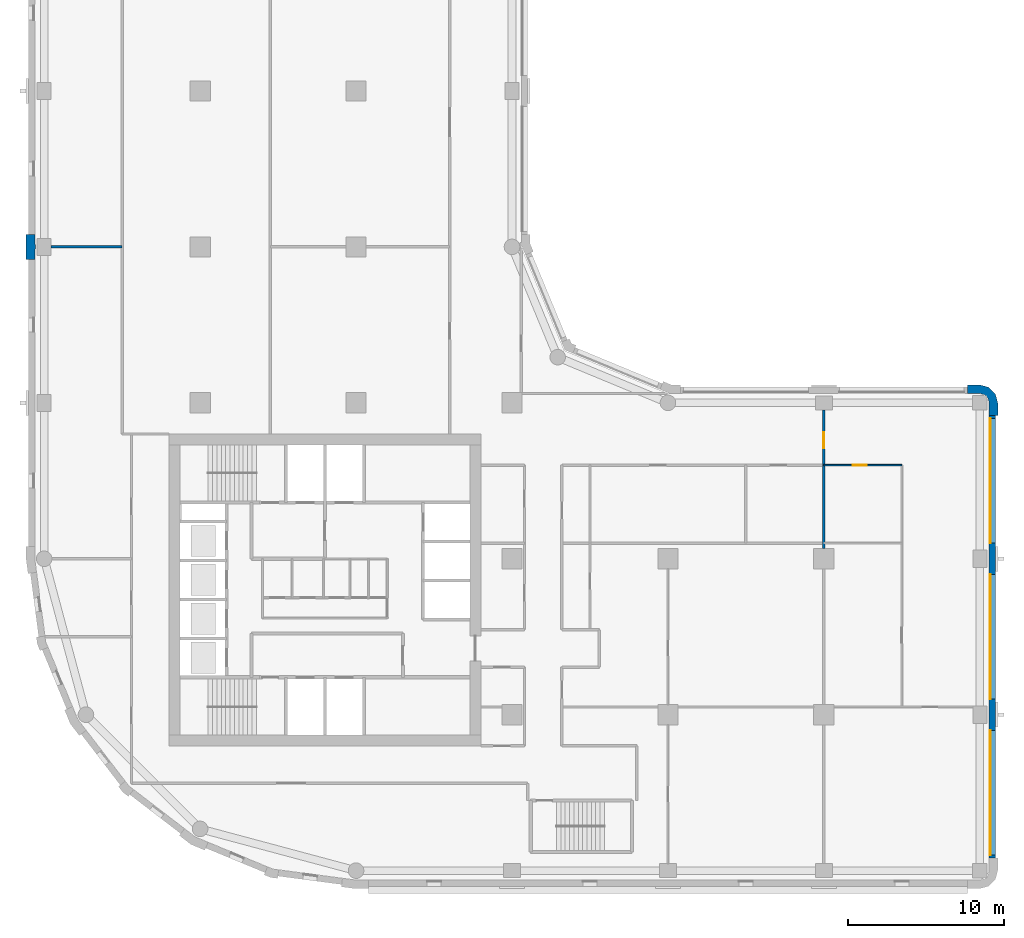
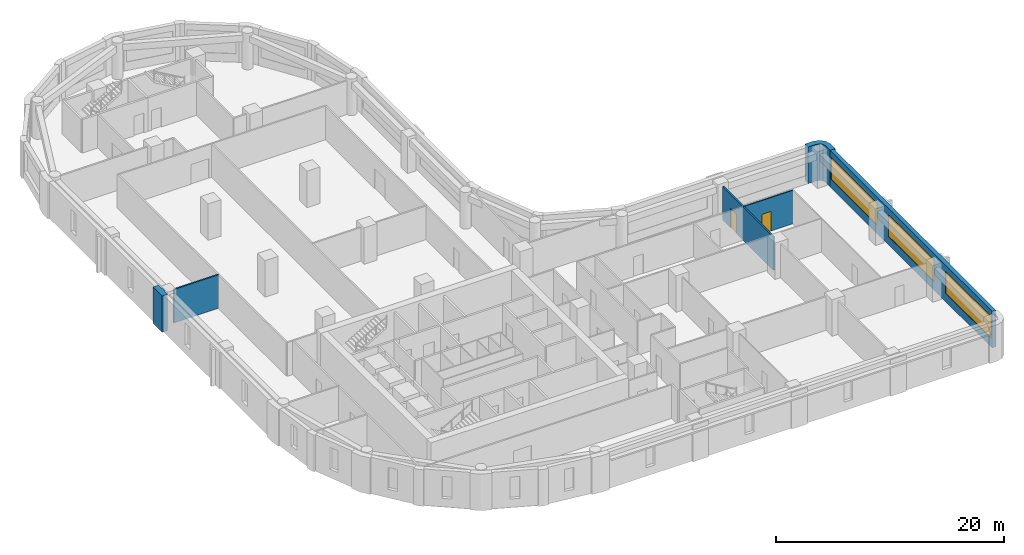
# One storey, part 5 of 10: 6 walls, 3 windows, 2 doors, 5 openings.
"""IFC4 building model written with IfcOpenShell, lengths in metres."""

from ifc_helpers import new_model, si_unit, direction, frame, frame_2d, origin, place, context, subcontext, project, spatial, polyline, rectangle, outline, extrude, material, layer, layer_set, type_object, element, fill, save


model = new_model("IFC4")

# Units and contexts
model_context = context("Model", 3, precision=1e-05, world=origin(), true_north=direction((0.0, 1.0)))
body_context = subcontext(model_context, "Body", "Model", "MODEL_VIEW")
ifc_project = project(units=[si_unit("LENGTHUNIT", "METRE"), si_unit("AREAUNIT", "SQUARE_METRE"), si_unit("VOLUMEUNIT", "CUBIC_METRE"), si_unit("PLANEANGLEUNIT", "RADIAN"), si_unit("MASSUNIT", "GRAM", prefix="KILO")], contexts=[model_context])

# Site, building, storey
site_placement = place(None, origin())
site = spatial("IfcSite", under=ifc_project, at=site_placement, CompositionType="ELEMENT")
building_placement = place(site_placement, origin())
building = spatial("IfcBuilding", under=site, at=building_placement, Name="Qaws Garden Tower", CompositionType="ELEMENT")
storey_placement = place(building_placement, frame((0.0, 0.0, 178.5)))
storey = spatial("IfcBuildingStorey", under=building, at=storey_placement, Name="L43", CompositionType="ELEMENT", Elevation=178.5)

# Wall
ifc_material_1 = material(Name="Clay facing brick masonry", Category="masonry")
ifc_layer_1 = layer(ifc_material_1, 0.550048828125)
ifc_layer_set_1 = layer_set([ifc_layer_1], Name="Clay facing brick masonry")
wall_type_1 = type_object("IfcWallType", Name="Brick corner pier 550 x 2400", PredefinedType="SOLIDWALL", material=ifc_layer_set_1)
placement = place(storey_placement, origin())
element("IfcWall", 1, at=placement, inside=storey, type_object=wall_type_1, Name="E-L43-pier-07", PredefinedType="SOLIDWALL", context=body_context, shape_type="SweptSolid", body=[
    extrude(outline(polyline([(61.0, 29.199951171875), (61.14990234375, 29.199951171875), (61.14990234375, 30.0), (60.995849609375, 30.574951171875), (60.574951171875, 30.995849609375), (60.0, 31.14990234375), (59.199951171875, 31.14990234375), (59.199951171875, 31.0), (59.199951171875, 30.60009765625), (60.0, 30.60009765625), (60.300048828125, 30.51953125), (60.51953125, 30.300048828125), (60.60009765625, 30.0), (60.60009765625, 29.199951171875), (61.0, 29.199951171875)])), origin(), (0.0, 0.0, 1.0), 3.89990234375),
])

# Wall, openings, windows
ifc_material_2 = material(Name="Clay facing brick masonry", Category="masonry")
ifc_layer_2 = layer(ifc_material_2, 0.39990234375)
ifc_layer_set_2 = layer_set([ifc_layer_2], Name="Clay facing brick masonry")
wall_type_2 = type_object("IfcWallType", Name="Brick infill wall 400", PredefinedType="SOLIDWALL", material=ifc_layer_set_2)
wall_2_placement = place(storey_placement, frame((60.800048828125, 0.800048828125, 0.0), z_axis=(0.0, 0.0, 1.0), x_axis=(0.0, 1.0, 0.0)))
wall_2 = element("IfcWall", 2, at=wall_2_placement, inside=storey, type_object=wall_type_2, Name="E-L43-infill-04", PredefinedType="SOLIDWALL", context=body_context, shape_type="SweptSolid", body=[
    extrude(rectangle(XDim=28.39990234375, YDim=0.39990234375, at=frame_2d((14.199951171875, 0.0))), origin(), (0.0, 0.0, 1.0), 3.89990234375),
])
opening_1_placement = place(wall_2_placement, frame((0.199951171875, 0.0, 0.89990234375)))
opening_1 = element("IfcOpeningElement", 3, at=opening_1_placement, cuts=wall_2, Name="Opening W01", PredefinedType="OPENING", context=body_context, shape_type="SweptSolid", body=[
    extrude(rectangle(XDim=8.0, YDim=2.35009765625, at=frame_2d((4.0, 1.175048828125))), frame((0.0, 0.2099609375, 0.0), z_axis=(0.0, -1.0, 0.0), x_axis=(1.0, 0.0, 0.0)), (0.0, 0.0, 1.0), 0.419921875),
])
opening_2_placement = place(wall_2_placement, frame((10.199951171875, 0.0, 0.89990234375)))
opening_2 = element("IfcOpeningElement", 4, at=opening_2_placement, cuts=wall_2, Name="Opening W01", PredefinedType="OPENING", context=body_context, shape_type="SweptSolid", body=[
    extrude(rectangle(XDim=8.0, YDim=2.35009765625, at=frame_2d((4.0, 1.175048828125))), frame((0.0, 0.2099609375, 0.0), z_axis=(0.0, -1.0, 0.0), x_axis=(1.0, 0.0, 0.0)), (0.0, 0.0, 1.0), 0.419921875),
])
opening_3_placement = place(wall_2_placement, frame((20.199951171875, 0.0, 0.89990234375)))
opening_3 = element("IfcOpeningElement", 5, at=opening_3_placement, cuts=wall_2, Name="Opening W01", PredefinedType="OPENING", context=body_context, shape_type="SweptSolid", body=[
    extrude(rectangle(XDim=8.0, YDim=2.35009765625, at=frame_2d((4.0, 1.175048828125))), frame((0.0, 0.2099609375, 0.0), z_axis=(0.0, -1.0, 0.0), x_axis=(1.0, 0.0, 0.0)), (0.0, 0.0, 1.0), 0.419921875),
])
ifc_material_3 = material(Name="Aluminium framed window, clear glazing", Category="aluminium")
window_type = type_object("IfcWindowType", Name="Ribbon window 8000 x 2350", PartitioningType="DOUBLE_PANEL_VERTICAL", PredefinedType="WINDOW", material=ifc_material_3)
window_1_placement = place(opening_1_placement, origin())
window_1 = element("IfcWindow", 6, at=window_1_placement, inside=storey, type_object=window_type, Name="E-L43-window-04-0", OverallHeight=2.35009765625, OverallWidth=8.0, PartitioningType="SINGLE_PANEL", PredefinedType="WINDOW", context=body_context, shape_type="SweptSolid", body=[
    extrude(rectangle(XDim=8.0, YDim=2.35009765625, at=frame_2d((4.0, 1.175048828125))), frame((0.0, 0.159912109375, 0.0), z_axis=(0.0, -1.0, 0.0), x_axis=(1.0, 0.0, 0.0)), (0.0, 0.0, 1.0), 0.06005859375),
])
fill(opening_1, window_1)
window_2_placement = place(opening_2_placement, origin())
window_2 = element("IfcWindow", 7, at=window_2_placement, inside=storey, type_object=window_type, Name="E-L43-window-05-0", OverallHeight=2.35009765625, OverallWidth=8.0, PartitioningType="SINGLE_PANEL", PredefinedType="WINDOW", context=body_context, shape_type="SweptSolid", body=[
    extrude(rectangle(XDim=8.0, YDim=2.35009765625, at=frame_2d((4.0, 1.175048828125))), frame((0.0, 0.159912109375, 0.0), z_axis=(0.0, -1.0, 0.0), x_axis=(1.0, 0.0, 0.0)), (0.0, 0.0, 1.0), 0.06005859375),
])
fill(opening_2, window_2)
window_3_placement = place(opening_3_placement, origin())
window_3 = element("IfcWindow", 8, at=window_3_placement, inside=storey, type_object=window_type, Name="E-L43-window-06-0", OverallHeight=2.35009765625, OverallWidth=8.0, PartitioningType="SINGLE_PANEL", PredefinedType="WINDOW", context=body_context, shape_type="SweptSolid", body=[
    extrude(rectangle(XDim=8.0, YDim=2.35009765625, at=frame_2d((4.0, 1.175048828125))), frame((0.0, 0.159912109375, 0.0), z_axis=(0.0, -1.0, 0.0), x_axis=(1.0, 0.0, 0.0)), (0.0, 0.0, 1.0), 0.06005859375),
])
fill(opening_3, window_3)

# Wall
ifc_material_4 = material(Name="Clay facing brick masonry", Category="masonry")
ifc_layer_3 = layer(ifc_material_4, 0.550048828125)
ifc_layer_set_3 = layer_set([ifc_layer_3], Name="Clay facing brick masonry")
wall_type_3 = type_object("IfcWallType", Name="Brick pier 550 x 1600", PredefinedType="SOLIDWALL", material=ifc_layer_set_3)
element("IfcWall", 9, at=placement, inside=storey, type_object=wall_type_3, Name="E-L43-pier-23", PredefinedType="SOLIDWALL", context=body_context, shape_type="SweptSolid", body=[
    extrude(outline(polyline([(-0.60009765625, 39.199951171875), (-0.60009765625, 39.85009765625), (-0.550048828125, 39.85009765625), (-0.550048828125, 40.14990234375), (-0.60009765625, 40.14990234375), (-0.60009765625, 40.800048828125), (-1.0, 40.800048828125), (-1.14990234375, 40.800048828125), (-1.14990234375, 40.0), (-1.14990234375, 39.199951171875), (-1.0, 39.199951171875), (-0.60009765625, 39.199951171875)])), origin(), (0.0, 0.0, 1.0), 3.89990234375),
])

# Wall, opening, door
ifc_material_5 = material(Name="Gypsum board partition")
ifc_layer_4 = layer(ifc_material_5, 0.10009765625)
ifc_layer_set_4 = layer_set([ifc_layer_4], Name="Gypsum board partition")
wall_type_4 = type_object("IfcWallType", Name="PARTITION 100", PredefinedType="PARTITIONING", material=ifc_layer_set_4)
wall_4_placement = place(storey_placement, frame((50.0, 26.0, 0.0), z_axis=(0.0, 0.0, 1.0), x_axis=(1.0, 0.0, 0.0)))
wall_4 = element("IfcWall", 10, at=wall_4_placement, inside=storey, type_object=wall_type_4, Name="O-L43-wall-007", PredefinedType="PARTITIONING", context=body_context, shape_type="SweptSolid", body=[
    extrude(rectangle(XDim=5.0, YDim=0.10009765625, at=frame_2d((2.5, 0.0))), origin(), (0.0, 0.0, 1.0), 3.580078125),
])
opening_4_placement = place(wall_4_placement, frame((1.85009765625, 0.0, 0.0)))
opening_4 = element("IfcOpeningElement", 11, at=opening_4_placement, cuts=wall_4, Name="Opening B524", PredefinedType="OPENING", context=body_context, shape_type="SweptSolid", body=[
    extrude(rectangle(XDim=0.89990234375, YDim=2.10009765625, at=frame_2d((0.449951171875, 1.050048828125))), frame((0.0, 0.06005859375, 0.0), z_axis=(0.0, -1.0, 0.0), x_axis=(1.0, 0.0, 0.0)), (0.0, 0.0, 1.0), 0.1201171875),
])
ifc_material_6 = material(Name="Timber door leaf", Category="wood")
door_type_1 = type_object("IfcDoorType", Name="OFFICE DOOR 900 X 2100", OperationType="SINGLE_SWING_LEFT", PredefinedType="DOOR", material=ifc_material_6)
door_1_placement = place(opening_4_placement, frame((0.89990234375, 0.0, 0.0), z_axis=(0.0, 0.0, 1.0), x_axis=(-1.0, 0.0, 0.0)))
door_1 = element("IfcDoor", 12, at=door_1_placement, inside=storey, type_object=door_type_1, Name="O-L43-door-024", OperationType="SINGLE_SWING_RIGHT", OverallHeight=2.10009765625, OverallWidth=0.89990234375, PredefinedType="DOOR", context=body_context, shape_type="SweptSolid", body=[
    extrude(rectangle(XDim=0.89990234375, YDim=2.10009765625, at=frame_2d((0.449951171875, 1.050048828125))), frame((0.0, 0.02490234375, 0.0), z_axis=(0.0, -1.0, 0.0), x_axis=(1.0, 0.0, 0.0)), (0.0, 0.0, 1.0), 0.050048828125),
])
fill(opening_4, door_1)

ifc_material_7 = material(Name="Gypsum board partition")
ifc_layer_5 = layer(ifc_material_7, 0.14990234375)
ifc_layer_set_5 = layer_set([ifc_layer_5], Name="Gypsum board partition")
wall_type_5 = type_object("IfcWallType", Name="PARTITION 150 EI 60", PredefinedType="PARTITIONING", material=ifc_layer_set_5)
wall_5_placement = place(storey_placement, frame((50.0, 20.64990234375, 0.0), z_axis=(0.0, 0.0, 1.0), x_axis=(0.0, 1.0, 0.0)))
wall_5 = element("IfcWall", 13, at=wall_5_placement, inside=storey, type_object=wall_type_5, Name="O-L43-wall-027", PredefinedType="PARTITIONING", context=body_context, shape_type="SweptSolid", body=[
    extrude(rectangle(XDim=8.900146484375, YDim=0.14990234375, at=frame_2d((4.4501953125, 0.0))), origin(), (0.0, 0.0, 1.0), 3.580078125),
])
opening_5_placement = place(wall_5_placement, frame((6.449951171875, 0.0, 0.0)))
opening_5 = element("IfcOpeningElement", 14, at=opening_5_placement, cuts=wall_5, Name="Opening B505", PredefinedType="OPENING", context=body_context, shape_type="SweptSolid", body=[
    extrude(rectangle(XDim=1.0, YDim=2.10009765625, at=frame_2d((0.5, 1.050048828125))), frame((0.0, 0.0849609375, 0.0), z_axis=(0.0, -1.0, 0.0), x_axis=(1.0, 0.0, 0.0)), (0.0, 0.0, 1.0), 0.169921875),
])
ifc_material_8 = material(Name="Timber door leaf", Category="wood")
door_type_2 = type_object("IfcDoorType", Name="TENANCY ENTRANCE DOOR 1000 X 2100", OperationType="SINGLE_SWING_LEFT", PredefinedType="DOOR", material=ifc_material_8)
door_2_placement = place(opening_5_placement, frame((1.0, 0.0, 0.0), z_axis=(0.0, 0.0, 1.0), x_axis=(-1.0, 0.0, 0.0)))
door_2 = element("IfcDoor", 15, at=door_2_placement, inside=storey, type_object=door_type_2, Name="O-L43-door-005", OperationType="SINGLE_SWING_RIGHT", OverallHeight=2.10009765625, OverallWidth=1.0, PredefinedType="DOOR", context=body_context, shape_type="SweptSolid", body=[
    extrude(rectangle(XDim=1.0, YDim=2.10009765625, at=frame_2d((0.5, 1.050048828125))), frame((0.0, 0.02490234375, 0.0), z_axis=(0.0, -1.0, 0.0), x_axis=(1.0, 0.0, 0.0)), (0.0, 0.0, 1.0), 0.050048828125),
])
fill(opening_5, door_2)

# Wall
wall_6_placement = place(storey_placement, frame((0.449951171875, 40.0, 0.0), z_axis=(0.0, 0.0, 1.0), x_axis=(1.0, 0.0, 0.0)))
element("IfcWall", 16, at=wall_6_placement, inside=storey, type_object=wall_type_5, Name="O-L43-wall-046", PredefinedType="PARTITIONING", context=body_context, shape_type="SweptSolid", body=[
    extrude(rectangle(XDim=4.550048828125, YDim=0.14990234375, at=frame_2d((2.27490234375, 0.0))), origin(), (0.0, 0.0, 1.0), 3.580078125),
])

save(model, "model.ifc")
